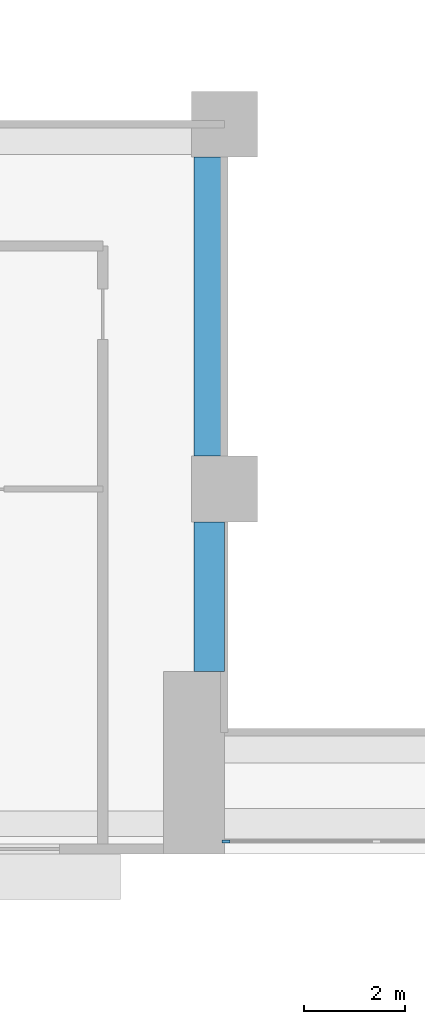
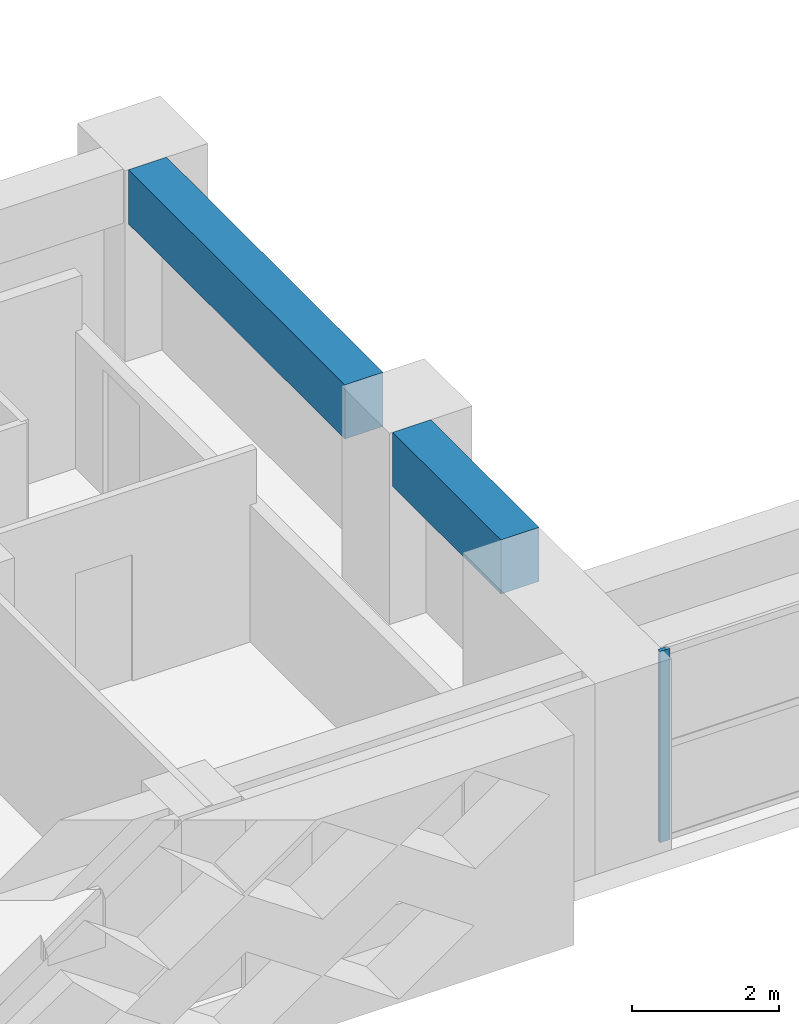
# One storey, part 2 of 16: 2 beams, 1 member, 1 element without a shape of its own.
"""IFC4 building model written with IfcOpenShell, lengths in metres."""

from ifc_helpers import new_model, si_unit, direction, frame, origin, origin_2d, place, context, subcontext, project, spatial, rectangle, extrude, source, transform, mapped, material, layer, layer_set, material_profile, profile_set, type_object, element, aggregate, save


model = new_model("IFC4")

# Units and contexts
model_context = context("Model", 3, precision=1e-05, world=origin(), true_north=direction((0.0, 1.0)))
body_context = subcontext(model_context, "Body", "Model", "MODEL_VIEW")
ifc_project = project(units=[si_unit("LENGTHUNIT", "METRE"), si_unit("AREAUNIT", "SQUARE_METRE"), si_unit("VOLUMEUNIT", "CUBIC_METRE"), si_unit("PLANEANGLEUNIT", "RADIAN"), si_unit("MASSUNIT", "GRAM", prefix="KILO")], contexts=[model_context])

# Site, building, storey
site_placement = place(None, origin())
site = spatial("IfcSite", under=ifc_project, at=site_placement, CompositionType="ELEMENT")
building_placement = place(site_placement, origin())
building = spatial("IfcBuilding", under=site, at=building_placement, Name="Saffron Iwan Residences", CompositionType="ELEMENT")
storey_placement = place(building_placement, frame((0.0, 0.0, 65.5)))
storey = spatial("IfcBuildingStorey", under=building, at=storey_placement, Name="L16", CompositionType="ELEMENT", Elevation=65.5)

# Beams
ifc_material_1 = material(Name="Concrete C60/75", Category="concrete")
ifc_material_profile_1 = material_profile(ifc_material_1, rectangle(XDim=0.60009765625, YDim=0.89990234375, at=origin_2d()), Name="RC 600x900")
ifc_profile_set_1 = profile_set([ifc_material_profile_1], Name="Concrete C60/75")
beam_type = type_object("IfcBeamType", Name="BEAM RC 600x900 C60/75 TOP 3180", PredefinedType="BEAM", material=ifc_profile_set_1)
shared_shape_1 = source(origin(), body_context, "Body", "SweptSolid", [
    extrude(rectangle(XDim=0.60009765625, YDim=0.89990234375, at=origin_2d()), origin(), (0.0, 0.0, 1.0), 2.949951171875),
])
beam_1_placement = place(storey_placement, frame((42.89990234375, 37.199951171875, 2.72998046875), z_axis=(0.0, 1.0, 0.0), x_axis=(-1.0, 0.0, 0.0)))
element("IfcBeam", 1, at=beam_1_placement, inside=storey, type_object=beam_type, Name="Atrium edge beam", PredefinedType="BEAM", context=body_context, shape_type="MappedRepresentation", body=[
    mapped(shared_shape_1, transform((0.0, 0.0, 0.0))),
])
shared_shape_2 = source(origin(), body_context, "Body", "SweptSolid", [
    extrude(rectangle(XDim=0.60009765625, YDim=0.89990234375, at=origin_2d()), origin(), (0.0, 0.0, 1.0), 5.900146484375),
])
beam_2_placement = place(storey_placement, frame((42.89990234375, 41.449951171875, 2.72998046875), z_axis=(0.0, 1.0, 0.0), x_axis=(-1.0, 0.0, 0.0)))
element("IfcBeam", 2, at=beam_2_placement, inside=storey, type_object=beam_type, Name="Atrium edge beam", PredefinedType="BEAM", context=body_context, shape_type="MappedRepresentation", body=[
    mapped(shared_shape_2, transform((0.0, 0.0, 0.0))),
])

# Curtain wall, member
ifc_material_2 = material(Name="Clear glass, laminated double glazed", Category="glass")
ifc_layer = layer(ifc_material_2, 0.199951171875)
ifc_layer_set = layer_set([ifc_layer], Name="Clear glass, laminated double glazed")
curtain_wall_type = type_object("IfcCurtainWallType", Name="CW-B IWAN PORTAL", PredefinedType="NOTDEFINED", material=ifc_layer_set)
curtain_wall_placement = place(storey_placement, origin())
curtain_wall = element("IfcCurtainWall", 3, at=curtain_wall_placement, inside=storey, type_object=curtain_wall_type, Name="Iwan portal glazing L16.1", PredefinedType="NOTDEFINED")
ifc_material_3 = material(Name="Aluminium 6063-T6", Category="aluminium")
ifc_material_profile_2 = material_profile(ifc_material_3, rectangle(XDim=0.06005859375, YDim=0.159912109375, at=origin_2d()), Name="CW-B MULLION 60 x 160")
ifc_profile_set_2 = profile_set([ifc_material_profile_2], Name="Aluminium 6063-T6")
member_type = type_object("IfcMemberType", Name="CW-B MULLION 60 x 160", PredefinedType="MULLION", material=ifc_profile_set_2)
shared_shape_3 = source(origin(), body_context, "Body", "SweptSolid", [
    extrude(rectangle(XDim=0.06005859375, YDim=0.159912109375, at=origin_2d()), origin(), (0.0, 0.0, 1.0), 3.179931640625),
])
member_placement = place(storey_placement, frame((43.22998046875, 33.85009765625, 0.0), z_axis=(0.0, 0.0, 1.0), x_axis=(0.0, 1.0, 0.0)))
member = element("IfcMember", 4, at=member_placement, type_object=member_type, Name="CW-B mullion 1", PredefinedType="MULLION", context=body_context, shape_type="MappedRepresentation", body=[
    mapped(shared_shape_3, transform((0.0, 0.0, 0.0))),
])
aggregate(curtain_wall, [member])

save(model, "model.ifc")
